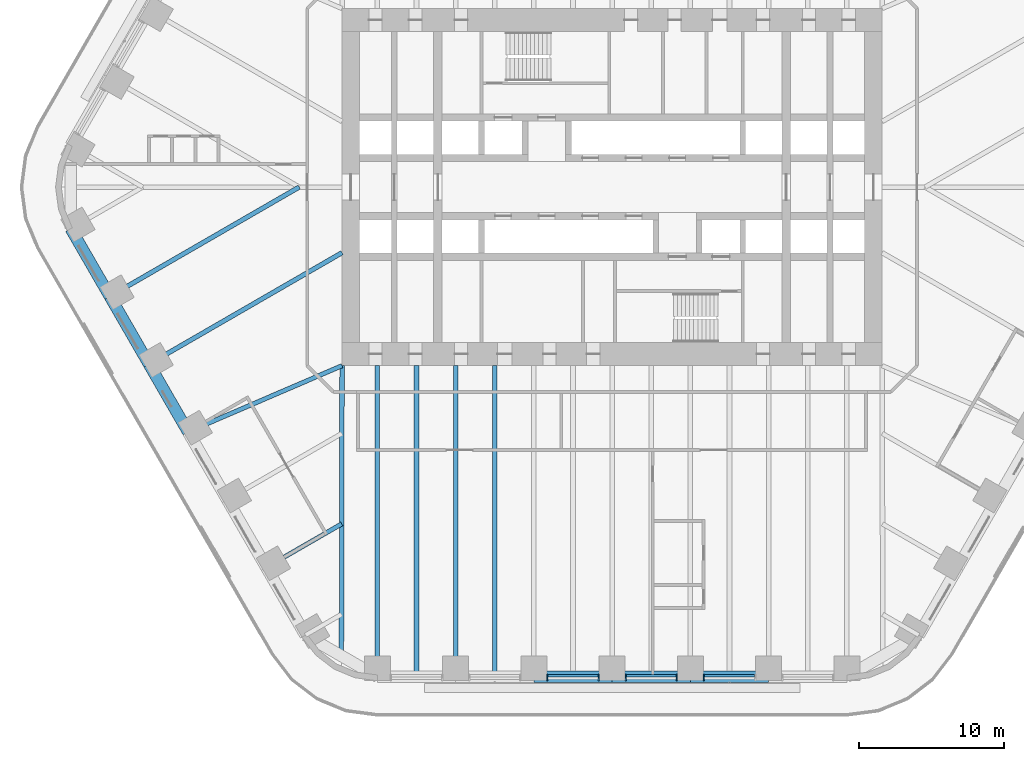
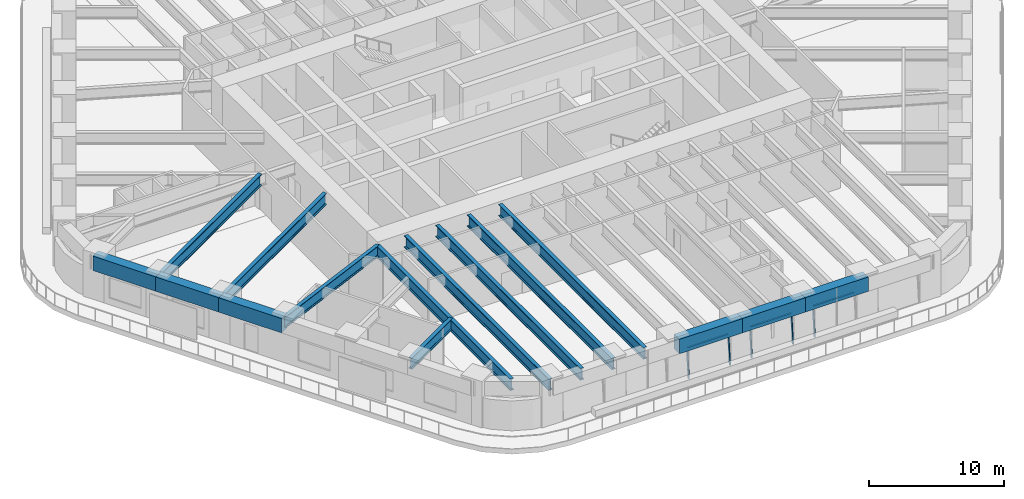
# One storey, part 3 of 23: 15 beams, 8 members, 3 elements without a shape of their own.
"""IFC4 building model written with IfcOpenShell, lengths in metres."""

from ifc_helpers import new_model, si_unit, direction, frame, origin, origin_2d, place, context, subcontext, project, spatial, rectangle, i_section, extrude, material, material_profile, profile_set, type_object, element, aggregate, save


model = new_model("IFC4")

# Units and contexts
model_context = context("Model", 3, precision=1e-05, world=origin(), true_north=direction((0.0, 1.0)))
body_context = subcontext(model_context, "Body", "Model", "MODEL_VIEW")
ifc_project = project(units=[si_unit("LENGTHUNIT", "METRE"), si_unit("AREAUNIT", "SQUARE_METRE"), si_unit("VOLUMEUNIT", "CUBIC_METRE"), si_unit("PLANEANGLEUNIT", "RADIAN"), si_unit("MASSUNIT", "GRAM", prefix="KILO")], contexts=[model_context])

# Site, building, storey
site_placement = place(None, origin())
site = spatial("IfcSite", under=ifc_project, at=site_placement, CompositionType="ELEMENT")
building_placement = place(site_placement, origin())
building = spatial("IfcBuilding", under=site, at=building_placement, Name="Tarfa Lantern Tower", CompositionType="ELEMENT")
storey_placement = place(building_placement, frame((0.0, 0.0, 86.5)))
storey = spatial("IfcBuildingStorey", under=building, at=storey_placement, Name="L19", CompositionType="ELEMENT", Elevation=86.5)

# Curtain wall, members
ifc_material_1 = material(Name="Aluminium framed curtain wall", Category="aluminium")
curtain_wall_type = type_object("IfcCurtainWallType", Name="CW1 CANTED GLAZING LOW ZONE 2700", PredefinedType="USERDEFINED", material=ifc_material_1)
curtain_wall_1_placement = place(storey_placement, origin())
curtain_wall_1 = element("IfcCurtainWall", 1, at=curtain_wall_1_placement, inside=storey, type_object=curtain_wall_type, Name="CW1 S L19", ObjectType="CURTAIN WALL", PredefinedType="USERDEFINED")
ifc_material_2 = material(Name="Aluminium mullion", Category="aluminium")
ifc_material_profile_1 = material_profile(ifc_material_2, rectangle(XDim=0.06494140625, YDim=0.199951171875, at=origin_2d()), Name="AL MULLION 65x200")
ifc_profile_set_1 = profile_set([ifc_material_profile_1], Name="Aluminium mullion")
member_type_1 = type_object("IfcMemberType", Name="CWM1 MULLION 65x200", PredefinedType="MULLION", material=ifc_profile_set_1)
member_1_placement = place(storey_placement, frame((-4.4560546875, -33.89990234375, 0.0), z_axis=(0.0, 0.092199863775, 0.995740520979), x_axis=(-1.0, 0.0, 0.0)))
member_1 = element("IfcMember", 2, at=member_1_placement, type_object=member_type_1, Name="CW1 mullion 1", PredefinedType="MULLION", context=body_context, shape_type="SweptSolid", body=[
    extrude(rectangle(XDim=0.06494140625, YDim=0.199951171875, at=origin_2d()), origin(), (0.0, 0.0, 1.0), 2.71142578125),
])
member_2_placement = place(storey_placement, frame((-0.9326171875, -33.89990234375, 0.0), z_axis=(0.0, 0.092199863775, 0.995740520979), x_axis=(-1.0, 0.0, 0.0)))
member_2 = element("IfcMember", 3, at=member_2_placement, type_object=member_type_1, Name="CW1 mullion 2", PredefinedType="MULLION", context=body_context, shape_type="SweptSolid", body=[
    extrude(rectangle(XDim=0.06494140625, YDim=0.199951171875, at=origin_2d()), origin(), (0.0, 0.0, 1.0), 2.71142578125),
])

curtain_wall_2_placement = place(storey_placement, origin())
curtain_wall_2 = element("IfcCurtainWall", 4, at=curtain_wall_2_placement, inside=storey, type_object=curtain_wall_type, Name="CW1 S L19", ObjectType="CURTAIN WALL", PredefinedType="USERDEFINED")
member_3_placement = place(storey_placement, frame((0.9326171875, -33.89990234375, 0.0), z_axis=(0.0, 0.092199863775, 0.995740520979), x_axis=(-1.0, 0.0, 0.0)))
member_3 = element("IfcMember", 5, at=member_3_placement, type_object=member_type_1, Name="CW1 mullion 1", PredefinedType="MULLION", context=body_context, shape_type="SweptSolid", body=[
    extrude(rectangle(XDim=0.06494140625, YDim=0.199951171875, at=origin_2d()), origin(), (0.0, 0.0, 1.0), 2.71142578125),
])
member_4_placement = place(storey_placement, frame((4.4560546875, -33.89990234375, 0.0), z_axis=(0.0, 0.092199863775, 0.995740520979), x_axis=(-1.0, 0.0, 0.0)))
member_4 = element("IfcMember", 6, at=member_4_placement, type_object=member_type_1, Name="CW1 mullion 2", PredefinedType="MULLION", context=body_context, shape_type="SweptSolid", body=[
    extrude(rectangle(XDim=0.06494140625, YDim=0.199951171875, at=origin_2d()), origin(), (0.0, 0.0, 1.0), 2.71142578125),
])

# Curtain wall, member
curtain_wall_3_placement = place(storey_placement, origin())
curtain_wall_3 = element("IfcCurtainWall", 7, at=curtain_wall_3_placement, inside=storey, type_object=curtain_wall_type, Name="CW1 S L19", ObjectType="CURTAIN WALL", PredefinedType="USERDEFINED")
member_5_placement = place(storey_placement, frame((6.321044921875, -33.89990234375, 0.0), z_axis=(0.0, 0.092199863775, 0.995740520979), x_axis=(-1.0, 0.0, 0.0)))
member_5 = element("IfcMember", 8, at=member_5_placement, type_object=member_type_1, Name="CW1 mullion 1", PredefinedType="MULLION", context=body_context, shape_type="SweptSolid", body=[
    extrude(rectangle(XDim=0.06494140625, YDim=0.199951171875, at=origin_2d()), origin(), (0.0, 0.0, 1.0), 2.71142578125),
])

# Member
ifc_material_3 = material(Name="Aluminium transom", Category="aluminium")
ifc_material_profile_2 = material_profile(ifc_material_3, rectangle(XDim=0.14990234375, YDim=0.06494140625, at=origin_2d()), Name="AL TRANSOM 150x65")
ifc_profile_set_2 = profile_set([ifc_material_profile_2], Name="Aluminium transom")
member_type_2 = type_object("IfcMemberType", Name="CWT1 TRANSOM 150x65", PredefinedType="USERDEFINED", material=ifc_profile_set_2)
member_6_placement = place(storey_placement, frame((-4.423583984375, -33.653076171875, 2.66748046875), z_axis=(1.0, 0.0, 0.0), x_axis=(0.0, 1.0, 0.0)))
member_6 = element("IfcMember", 9, at=member_6_placement, type_object=member_type_2, Name="CW1 transom 1.2", ObjectType="TRANSOM", PredefinedType="USERDEFINED", context=body_context, shape_type="SweptSolid", body=[
    extrude(rectangle(XDim=0.14990234375, YDim=0.06494140625, at=origin_2d()), origin(), (0.0, 0.0, 1.0), 3.45849609375),
])

aggregate(curtain_wall_1, [member_1, member_2, member_6])

member_7_placement = place(storey_placement, frame((0.965087890625, -33.653076171875, 2.66748046875), z_axis=(1.0, 0.0, 0.0), x_axis=(0.0, 1.0, 0.0)))
member_7 = element("IfcMember", 10, at=member_7_placement, type_object=member_type_2, Name="CW1 transom 1.2", ObjectType="TRANSOM", PredefinedType="USERDEFINED", context=body_context, shape_type="SweptSolid", body=[
    extrude(rectangle(XDim=0.14990234375, YDim=0.06494140625, at=origin_2d()), origin(), (0.0, 0.0, 1.0), 3.45849609375),
])

aggregate(curtain_wall_2, [member_3, member_4, member_7])

member_8_placement = place(storey_placement, frame((6.353515625, -33.653076171875, 2.66748046875), z_axis=(1.0, 0.0, 0.0), x_axis=(0.0, 1.0, 0.0)))
member_8 = element("IfcMember", 11, at=member_8_placement, type_object=member_type_2, Name="CW1 transom 1.2", ObjectType="TRANSOM", PredefinedType="USERDEFINED", context=body_context, shape_type="SweptSolid", body=[
    extrude(rectangle(XDim=0.14990234375, YDim=0.06494140625, at=origin_2d()), origin(), (0.0, 0.0, 1.0), 3.458740234375),
])

aggregate(curtain_wall_3, [member_5, member_8])

# Beams
ifc_material_4 = material(Name="Concrete C80/95", Category="concrete")
ifc_material_profile_3 = material_profile(ifc_material_4, rectangle(XDim=0.800048828125, YDim=1.300048828125, at=origin_2d()), Name="RC 800x1300")
ifc_profile_set_3 = profile_set([ifc_material_profile_3], Name="Concrete C80/95")
beam_type_1 = type_object("IfcBeamType", Name="EB1 RC 800x1300", PredefinedType="SPANDREL", material=ifc_profile_set_3)
beam_1_placement = place(storey_placement, frame((-37.285400390625, -2.860107421875, 3.35009765625), z_axis=(0.500017906299, -0.866015065331, 0.0), x_axis=(0.866015065331, 0.500017906299, 0.0)))
element("IfcBeam", 12, at=beam_1_placement, inside=storey, type_object=beam_type_1, Name="Edge beam SW0", PredefinedType="SPANDREL", context=body_context, shape_type="SweptSolid", body=[
    extrude(rectangle(XDim=0.800048828125, YDim=1.300048828125, at=origin_2d()), origin(), (0.0, 0.0, 1.0), 5.388427734375),
])
for number, where, z_axis, x_axis, name in (
    (13, (-34.591064453125, -7.526611328125, 3.35009765625), (0.499998287579, -0.866026392449, 0.0), (0.866026392449, 0.499998287579, 0.0), "Edge beam SW1"),
    (14, (-31.896728515625, -12.193359375, 3.35009765625), (0.499998287579, -0.866026392449, 0.0), (0.866026392449, 0.499998287579, 0.0), "Edge beam SW2"),
    (15, (-5.388671875, -33.719970703125, 3.35009765625), (1.0, 0.0, 0.0), (0.0, 1.0, 0.0), "Edge beam S2"),
    (16, (0.0, -33.719970703125, 3.35009765625), (1.0, 0.0, 0.0), (0.0, 1.0, 0.0), "Edge beam S3"),
):
    element("IfcBeam", number, at=place(storey_placement, frame(where, z_axis=z_axis, x_axis=x_axis)), inside=storey, type_object=beam_type_1, Name=name, PredefinedType="SPANDREL", context=body_context, shape_type="SweptSolid", body=[
        extrude(rectangle(XDim=0.800048828125, YDim=1.300048828125, at=origin_2d()), origin(), (0.0, 0.0, 1.0), 5.388671875),
    ])
beam_2_placement = place(storey_placement, frame((5.388671875, -33.719970703125, 3.35009765625), z_axis=(1.0, 0.0, 0.0), x_axis=(0.0, 1.0, 0.0)))
element("IfcBeam", 17, at=beam_2_placement, inside=storey, type_object=beam_type_1, Name="Edge beam S4", PredefinedType="SPANDREL", context=body_context, shape_type="SweptSolid", body=[
    extrude(rectangle(XDim=0.800048828125, YDim=1.300048828125, at=origin_2d()), origin(), (0.0, 0.0, 1.0), 5.388427734375),
])
ifc_material_5 = material(Name="Steel S460M", Category="steel")
ifc_material_profile_4 = material_profile(ifc_material_5, i_section(OverallWidth=0.302001953125, OverallDepth=1.008056640625, WebThickness=0.02099609375, FlangeThickness=0.0400390625, FilletRadius=0.030029296875, at=origin_2d()), Name="UB1016x305x349")
ifc_profile_set_4 = profile_set([ifc_material_profile_4], Name="Steel S460M")
beam_type_2 = type_object("IfcBeamType", Name="UB1016x305x349", PredefinedType="BEAM", material=ifc_profile_set_4)
beam_3_placement = place(storey_placement, frame((-29.202392578125, -16.860107421875, 3.495849609375), z_axis=(0.918635483867, 0.395106122175, 0.0), x_axis=(-0.395106122175, 0.918635483867, 0.0)))
element("IfcBeam", 18, at=beam_3_placement, inside=storey, type_object=beam_type_2, Name="Floor beam SW3", PredefinedType="BEAM", context=body_context, shape_type="SweptSolid", body=[
    extrude(i_section(OverallWidth=0.302001953125, OverallDepth=1.008056640625, WebThickness=0.02099609375, FlangeThickness=0.0400390625, FilletRadius=0.030029296875, at=origin_2d()), origin(), (0.0, 0.0, 1.0), 11.541259765625),
])
beam_4_placement = place(storey_placement, frame((-23.813720703125, -26.193359375, 3.495849609375), z_axis=(0.866015997389, 0.500016292001, 0.0), x_axis=(-0.500016292001, 0.866015997389, 0.0)))
element("IfcBeam", 19, at=beam_4_placement, inside=storey, type_object=beam_type_2, Name="Floor beam SW5", PredefinedType="BEAM", context=body_context, shape_type="SweptSolid", body=[
    extrude(i_section(OverallWidth=0.302001953125, OverallDepth=1.008056640625, WebThickness=0.02099609375, FlangeThickness=0.0400390625, FilletRadius=0.030029296875, at=origin_2d()), origin(), (0.0, 0.0, 1.0), 5.993408203125),
])
ifc_material_profile_5 = material_profile(ifc_material_5, i_section(OverallWidth=0.314208984375, OverallDepth=1.055908203125, WebThickness=0.035888671875, FlangeThickness=0.06396484375, FilletRadius=0.030029296875, at=origin_2d()), Name="UB1016x305x584")
ifc_profile_set_5 = profile_set([ifc_material_profile_5], Name="Steel S460M")
beam_type_3 = type_object("IfcBeamType", Name="UB1016x305x584", PredefinedType="BEAM", material=ifc_profile_set_5)
beam_5_placement = place(storey_placement, frame((-18.60009765625, -12.300048828125, 3.471923828125), z_axis=(-0.00212508222, -0.99999774201, 0.0), x_axis=(0.99999774201, -0.00212508222, 0.0)))
element("IfcBeam", 20, at=beam_5_placement, inside=storey, type_object=beam_type_3, Name="Hip girder SW", PredefinedType="BEAM", context=body_context, shape_type="SweptSolid", body=[
    extrude(i_section(OverallWidth=0.314208984375, OverallDepth=1.055908203125, WebThickness=0.035888671875, FlangeThickness=0.06396484375, FilletRadius=0.030029296875, at=origin_2d()), origin(), (0.0, 0.0, 1.0), 19.989990234375),
])
beam_6_placement = place(storey_placement, frame((-34.591064453125, -7.526611328125, 3.471923828125), z_axis=(0.86602785945, 0.499995746638, 0.0), x_axis=(-0.499995746638, 0.86602785945, 0.0)))
element("IfcBeam", 21, at=beam_6_placement, inside=storey, type_object=beam_type_3, Name="Floor beam SW1", PredefinedType="BEAM", context=body_context, shape_type="SweptSolid", body=[
    extrude(i_section(OverallWidth=0.314208984375, OverallDepth=1.055908203125, WebThickness=0.035888671875, FlangeThickness=0.06396484375, FilletRadius=0.030029296875, at=origin_2d()), origin(), (0.0, 0.0, 1.0), 15.053466796875),
])
beam_7_placement = place(storey_placement, frame((-31.896728515625, -12.193359375, 3.471923828125), z_axis=(0.866026971665, 0.499997284341, 0.0), x_axis=(-0.499997284341, 0.866026971665, 0.0)))
element("IfcBeam", 22, at=beam_7_placement, inside=storey, type_object=beam_type_3, Name="Floor beam SW2", PredefinedType="BEAM", context=body_context, shape_type="SweptSolid", body=[
    extrude(i_section(OverallWidth=0.314208984375, OverallDepth=1.055908203125, WebThickness=0.035888671875, FlangeThickness=0.06396484375, FilletRadius=0.030029296875, at=origin_2d()), origin(), (0.0, 0.0, 1.0), 15.353515625),
])
for number, where, z_axis, x_axis, name in (
    (23, (-16.165771484375, -33.719970703125, 3.471923828125), (0.0, 1.0, 0.0), (-1.0, 0.0, 0.0), "Floor beam S0"),
    (24, (-10.777099609375, -33.719970703125, 3.471923828125), (0.0, 1.0, 0.0), (-1.0, 0.0, 0.0), "Floor beam S1"),
    (25, (-13.471435546875, -33.719970703125, 3.471923828125), (0.0, 1.0, 0.0), (-1.0, 0.0, 0.0), "Floor beam S0M"),
    (26, (-8.0830078125, -33.719970703125, 3.471923828125), (0.0, 1.0, 0.0), (-1.0, 0.0, 0.0), "Floor beam S1M"),
):
    element("IfcBeam", number, at=place(storey_placement, frame(where, z_axis=z_axis, x_axis=x_axis)), inside=storey, type_object=beam_type_3, Name=name, PredefinedType="BEAM", context=body_context, shape_type="SweptSolid", body=[
        extrude(i_section(OverallWidth=0.314208984375, OverallDepth=1.055908203125, WebThickness=0.035888671875, FlangeThickness=0.06396484375, FilletRadius=0.030029296875, at=origin_2d()), origin(), (0.0, 0.0, 1.0), 21.419921875),
    ])

save(model, "model.ifc")
